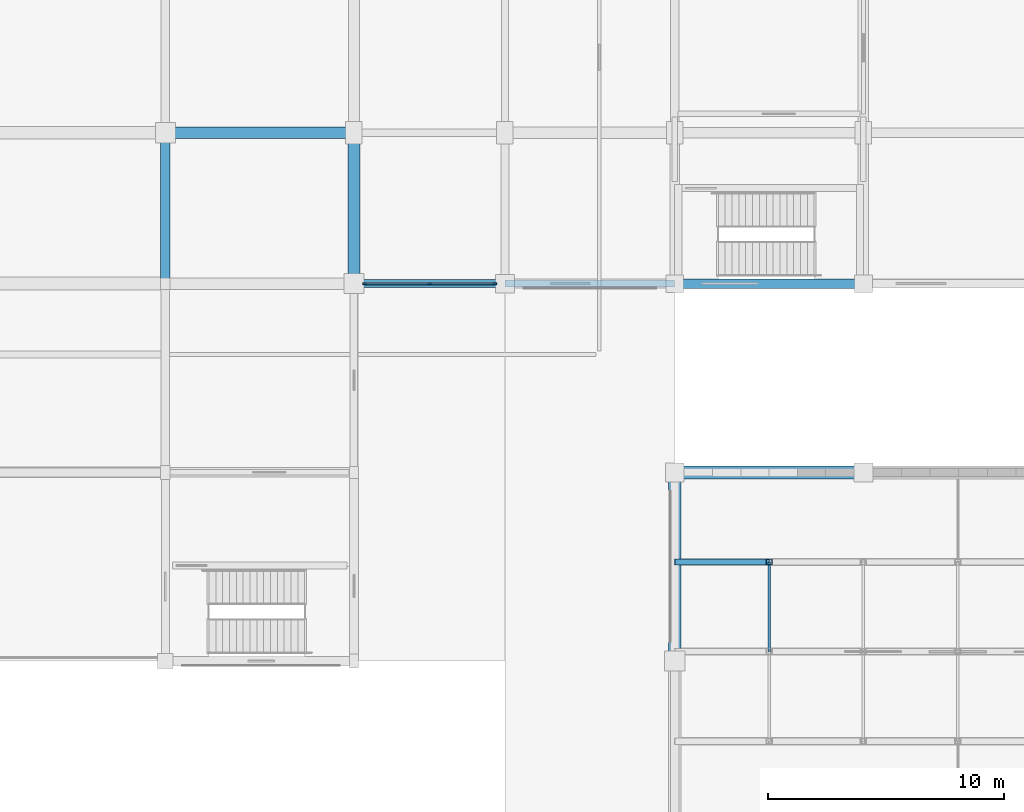
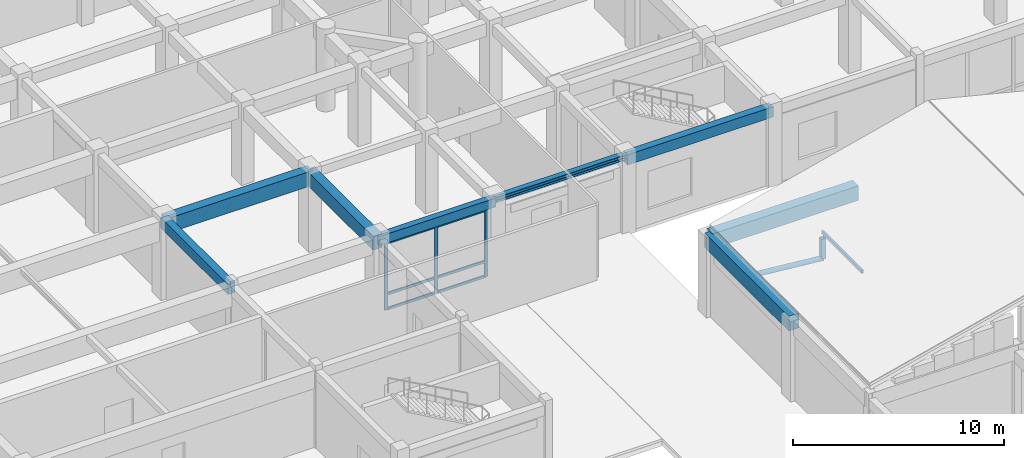
# One storey, part 14 of 61: 12 members, 8 beams, 1 element without a shape of its own.
"""IFC4 building model written with IfcOpenShell, lengths in metres."""

from ifc_helpers import new_model, si_unit, direction, frame, origin, origin_2d, place, context, subcontext, project, spatial, rectangle, hollow_rectangle, hollow_circle, i_section, extrude, material, material_profile, profile_set, type_object, element, aggregate, save


model = new_model("IFC4")

# Units and contexts
model_context = context("Model", 3, precision=1e-05, world=origin(), true_north=direction((0.0, 1.0)))
body_context = subcontext(model_context, "Body", "Model", "MODEL_VIEW")
ifc_project = project(units=[si_unit("LENGTHUNIT", "METRE"), si_unit("AREAUNIT", "SQUARE_METRE"), si_unit("VOLUMEUNIT", "CUBIC_METRE"), si_unit("PLANEANGLEUNIT", "RADIAN"), si_unit("MASSUNIT", "GRAM", prefix="KILO")], contexts=[model_context])

# Site, building, storey
site_placement = place(None, origin())
site = spatial("IfcSite", under=ifc_project, at=site_placement, CompositionType="ELEMENT")
building_placement = place(site_placement, origin())
building = spatial("IfcBuilding", under=site, at=building_placement, Name="Vellmiral Cinema and Media Centre", CompositionType="ELEMENT")
storey_placement = place(building_placement, frame((0.0, 0.0, 10.800048828125)))
storey = spatial("IfcBuildingStorey", under=building, at=storey_placement, Name="L02", CompositionType="ELEMENT", Elevation=10.800048828125)

# Beams
ifc_material_1 = material(Name="Concrete C40/50", Category="concrete")
ifc_material_profile_1 = material_profile(ifc_material_1, rectangle(XDim=0.39990234375, YDim=0.60009765625, at=origin_2d()), Name="RC 400x600")
ifc_profile_set_1 = profile_set([ifc_material_profile_1], Name="Concrete C40/50")
beam_type_1 = type_object("IfcBeamType", Name="BM-RC-400x600", PredefinedType="BEAM", material=ifc_profile_set_1)
beam_1_placement = place(storey_placement, frame((102.39990234375, 59.199951171875, 4.195068359375), z_axis=(0.0, 1.0, 0.0), x_axis=(-1.0, 0.0, 0.0)))
element("IfcBeam", 1, at=beam_1_placement, inside=storey, type_object=beam_type_1, Name="Grid Beam L02-Y133", PredefinedType="BEAM", context=body_context, shape_type="SweptSolid", body=[
    extrude(rectangle(XDim=0.39990234375, YDim=0.60009765625, at=origin_2d()), origin(), (0.0, 0.0, 1.0), 6.400146484375),
])
ifc_material_2 = material(Name="Concrete C40/50", Category="concrete")
ifc_material_profile_2 = material_profile(ifc_material_2, rectangle(XDim=0.5, YDim=0.800048828125, at=origin_2d()), Name="RC 500x800")
ifc_profile_set_2 = profile_set([ifc_material_profile_2], Name="Concrete C40/50")
beam_type_2 = type_object("IfcBeamType", Name="BM-RC-500x800", PredefinedType="BEAM", material=ifc_profile_set_2)
beam_2_placement = place(storey_placement, frame((110.39990234375, 59.199951171875, 4.094970703125), z_axis=(0.0, 1.0, 0.0), x_axis=(-1.0, 0.0, 0.0)))
element("IfcBeam", 2, at=beam_2_placement, inside=storey, type_object=beam_type_2, Name="Grid Beam L02-Y140", PredefinedType="BEAM", context=body_context, shape_type="SweptSolid", body=[
    extrude(rectangle(XDim=0.5, YDim=0.800048828125, at=origin_2d()), origin(), (0.0, 0.0, 1.0), 6.400146484375),
])
ifc_material_3 = material(Name="Concrete C40/50", Category="concrete")
ifc_material_profile_3 = material_profile(ifc_material_3, rectangle(XDim=0.5, YDim=0.85009765625, at=origin_2d()), Name="RC 500x850")
ifc_profile_set_3 = profile_set([ifc_material_profile_3], Name="Concrete C40/50")
beam_type_3 = type_object("IfcBeamType", Name="BM-RC-500x850", PredefinedType="BEAM", material=ifc_profile_set_3)
beam_3_placement = place(storey_placement, frame((102.39990234375, 65.60009765625, 4.070068359375), z_axis=(1.0, 0.0, 0.0), x_axis=(0.0, 1.0, 0.0)))
element("IfcBeam", 3, at=beam_3_placement, inside=storey, type_object=beam_type_3, Name="Grid Beam L02-X026", PredefinedType="BEAM", context=body_context, shape_type="SweptSolid", body=[
    extrude(rectangle(XDim=0.5, YDim=0.85009765625, at=origin_2d()), origin(), (0.0, 0.0, 1.0), 8.0),
])

# Curtain wall, members
ifc_material_4 = material(Name="Thermally Broken Aluminium and Triple Glazing", Category="aluminium")
curtain_wall_type = type_object("IfcCurtainWallType", Name="CW-POD-GALLERY", PredefinedType="USERDEFINED", material=ifc_material_4)
curtain_wall_placement = place(storey_placement, origin())
curtain_wall = element("IfcCurtainWall", 4, at=curtain_wall_placement, inside=storey, type_object=curtain_wall_type, Name="Curtain Wall L02-B019", ObjectType="STICK CURTAIN WALL", PredefinedType="USERDEFINED")
ifc_material_5 = material(Name="Thermally Broken Anodised Aluminium", Category="aluminium")
ifc_material_profile_4 = material_profile(ifc_material_5, rectangle(XDim=0.070068359375, YDim=0.179931640625, at=origin_2d()), Name="MULL 70x180")
ifc_profile_set_4 = profile_set([ifc_material_profile_4], Name="Thermally Broken Anodised Aluminium")
member_type_1 = type_object("IfcMemberType", Name="CWM-70x180", PredefinedType="MULLION", material=ifc_profile_set_4)
member_1_placement = place(storey_placement, frame((110.860107421875, 59.199951171875, 0.0), z_axis=(0.0, 0.0, 1.0), x_axis=(0.0, 1.0, 0.0)))
member_1 = element("IfcMember", 5, at=member_1_placement, type_object=member_type_1, Name="CW-04 mullion 1", PredefinedType="MULLION", context=body_context, shape_type="SweptSolid", body=[
    extrude(rectangle(XDim=0.070068359375, YDim=0.179931640625, at=origin_2d()), origin(), (0.0, 0.0, 1.0), 3.89990234375),
])
member_2_placement = place(storey_placement, frame((113.612548828125, 59.199951171875, 0.0), z_axis=(0.0, 0.0, 1.0), x_axis=(0.0, 1.0, 0.0)))
member_2 = element("IfcMember", 6, at=member_2_placement, type_object=member_type_1, Name="CW-04 mullion 2", PredefinedType="MULLION", context=body_context, shape_type="SweptSolid", body=[
    extrude(rectangle(XDim=0.070068359375, YDim=0.179931640625, at=origin_2d()), origin(), (0.0, 0.0, 1.0), 3.89990234375),
])
member_3_placement = place(storey_placement, frame((116.364990234375, 59.199951171875, 0.0), z_axis=(0.0, 0.0, 1.0), x_axis=(0.0, 1.0, 0.0)))
member_3 = element("IfcMember", 7, at=member_3_placement, type_object=member_type_1, Name="CW-04 mullion 3", PredefinedType="MULLION", context=body_context, shape_type="SweptSolid", body=[
    extrude(rectangle(XDim=0.070068359375, YDim=0.179931640625, at=origin_2d()), origin(), (0.0, 0.0, 1.0), 3.89990234375),
])
ifc_material_6 = material(Name="Thermally Broken Anodised Aluminium", Category="aluminium")
ifc_material_profile_5 = material_profile(ifc_material_6, rectangle(XDim=0.070068359375, YDim=0.14990234375, at=origin_2d()), Name="MULL 70x150")
ifc_profile_set_5 = profile_set([ifc_material_profile_5], Name="Thermally Broken Anodised Aluminium")
member_type_2 = type_object("IfcMemberType", Name="CWT-70x150", PredefinedType="USERDEFINED", material=ifc_profile_set_5)
member_4_placement = place(storey_placement, frame((110.89501953125, 59.199951171875, 0.034912109375), z_axis=(1.0, 0.0, 0.0), x_axis=(0.0, 1.0, 0.0)))
member_4 = element("IfcMember", 8, at=member_4_placement, type_object=member_type_2, Name="CW-04 transom 1.1", ObjectType="TRANSOM", PredefinedType="USERDEFINED", context=body_context, shape_type="SweptSolid", body=[
    extrude(rectangle(XDim=0.070068359375, YDim=0.14990234375, at=origin_2d()), origin(), (0.0, 0.0, 1.0), 2.682373046875),
])
member_5_placement = place(storey_placement, frame((110.89501953125, 59.199951171875, 0.89990234375), z_axis=(1.0, 0.0, 0.0), x_axis=(0.0, 1.0, 0.0)))
member_5 = element("IfcMember", 9, at=member_5_placement, type_object=member_type_2, Name="CW-04 transom 1.2", ObjectType="TRANSOM", PredefinedType="USERDEFINED", context=body_context, shape_type="SweptSolid", body=[
    extrude(rectangle(XDim=0.070068359375, YDim=0.14990234375, at=origin_2d()), origin(), (0.0, 0.0, 1.0), 2.682373046875),
])
member_6_placement = place(storey_placement, frame((110.89501953125, 59.199951171875, 3.864990234375), z_axis=(1.0, 0.0, 0.0), x_axis=(0.0, 1.0, 0.0)))
member_6 = element("IfcMember", 10, at=member_6_placement, type_object=member_type_2, Name="CW-04 transom 1.3", ObjectType="TRANSOM", PredefinedType="USERDEFINED", context=body_context, shape_type="SweptSolid", body=[
    extrude(rectangle(XDim=0.070068359375, YDim=0.14990234375, at=origin_2d()), origin(), (0.0, 0.0, 1.0), 2.682373046875),
])
member_7_placement = place(storey_placement, frame((113.6474609375, 59.199951171875, 0.034912109375), z_axis=(1.0, 0.0, 0.0), x_axis=(0.0, 1.0, 0.0)))
member_7 = element("IfcMember", 11, at=member_7_placement, type_object=member_type_2, Name="CW-04 transom 2.1", ObjectType="TRANSOM", PredefinedType="USERDEFINED", context=body_context, shape_type="SweptSolid", body=[
    extrude(rectangle(XDim=0.070068359375, YDim=0.14990234375, at=origin_2d()), origin(), (0.0, 0.0, 1.0), 2.6826171875),
])
member_8_placement = place(storey_placement, frame((113.6474609375, 59.199951171875, 0.89990234375), z_axis=(1.0, 0.0, 0.0), x_axis=(0.0, 1.0, 0.0)))
member_8 = element("IfcMember", 12, at=member_8_placement, type_object=member_type_2, Name="CW-04 transom 2.2", ObjectType="TRANSOM", PredefinedType="USERDEFINED", context=body_context, shape_type="SweptSolid", body=[
    extrude(rectangle(XDim=0.070068359375, YDim=0.14990234375, at=origin_2d()), origin(), (0.0, 0.0, 1.0), 2.6826171875),
])
member_9_placement = place(storey_placement, frame((113.6474609375, 59.199951171875, 3.864990234375), z_axis=(1.0, 0.0, 0.0), x_axis=(0.0, 1.0, 0.0)))
member_9 = element("IfcMember", 13, at=member_9_placement, type_object=member_type_2, Name="CW-04 transom 2.3", ObjectType="TRANSOM", PredefinedType="USERDEFINED", context=body_context, shape_type="SweptSolid", body=[
    extrude(rectangle(XDim=0.070068359375, YDim=0.14990234375, at=origin_2d()), origin(), (0.0, 0.0, 1.0), 2.6826171875),
])
aggregate(curtain_wall, [member_1, member_2, member_3, member_4, member_5, member_6, member_7, member_8, member_9])

# Member
ifc_material_7 = material(Name="Steel S355", Category="steel")
ifc_material_profile_6 = material_profile(ifc_material_7, hollow_rectangle(XDim=0.10009765625, YDim=0.199951171875, WallThickness=0.008056640625, at=origin_2d()), Name="RHS 200x100x8.0")
ifc_profile_set_6 = profile_set([ifc_material_profile_6], Name="Steel S355")
member_type_3 = type_object("IfcMemberType", Name="PRL-RHS200", PredefinedType="PURLIN", material=ifc_profile_set_6)
member_10_placement = place(storey_placement, frame((128.0, 43.60009765625, 5.662353515625), z_axis=(0.0, 1.0, 0.0), x_axis=(-1.0, 0.0, 0.0)))
element("IfcMember", 14, at=member_10_placement, inside=storey, type_object=member_type_3, Name="Roof Purlin 6.1.2", PredefinedType="PURLIN", context=body_context, shape_type="SweptSolid", body=[
    extrude(hollow_rectangle(XDim=0.10009765625, YDim=0.199951171875, WallThickness=0.008056640625, at=origin_2d()), origin(), (0.0, 0.0, 1.0), 3.7998046875),
])

# Beams
ifc_material_8 = material(Name="Concrete C40/50", Category="concrete")
ifc_material_profile_7 = material_profile(ifc_material_8, rectangle(XDim=0.550048828125, YDim=0.85009765625, at=origin_2d()), Name="RC 550x850")
ifc_profile_set_7 = profile_set([ifc_material_profile_7], Name="Concrete C40/50")
beam_type_4 = type_object("IfcBeamType", Name="RING-BM-550x850", PredefinedType="BEAM", material=ifc_profile_set_7)
for number, where, z_axis, x_axis, name in (
    (15, (124.0, 51.199951171875, 4.375), (1.0, 0.0, 0.0), (0.0, 1.0, 0.0), "Cinema Screen 6 Ring Beam 04"),
    (16, (124.0, 43.199951171875, 4.375), (0.0, 1.0, 0.0), (-1.0, 0.0, 0.0), "Cinema Screen 6 Ring Beam 08"),
):
    element("IfcBeam", number, at=place(storey_placement, frame(where, z_axis=z_axis, x_axis=x_axis)), inside=storey, type_object=beam_type_4, Name=name, PredefinedType="BEAM", context=body_context, shape_type="SweptSolid", body=[
        extrude(rectangle(XDim=0.550048828125, YDim=0.85009765625, at=origin_2d()), origin(), (0.0, 0.0, 1.0), 8.0),
    ])
ifc_material_9 = material(Name="Steel S355", Category="steel")
ifc_material_profile_8 = material_profile(ifc_material_9, i_section(OverallWidth=0.300048828125, OverallDepth=0.300048828125, WebThickness=0.010986328125, FlangeThickness=0.01904296875, FilletRadius=0.027099609375, at=origin_2d()), Name="HEB 300")
ifc_profile_set_8 = profile_set([ifc_material_profile_8], Name="Steel S355")
beam_type_5 = type_object("IfcBeamType", Name="SBM-HEB300", PredefinedType="SPANDREL", material=ifc_profile_set_8)
beam_4_placement = place(storey_placement, frame((116.800048828125, 59.199951171875, 4.344970703125), z_axis=(1.0, 0.0, 0.0), x_axis=(0.0, 1.0, 0.0)))
element("IfcBeam", 17, at=beam_4_placement, inside=storey, type_object=beam_type_5, Name="Grid Beam L02-X017", PredefinedType="SPANDREL", context=body_context, shape_type="SweptSolid", body=[
    extrude(i_section(OverallWidth=0.300048828125, OverallDepth=0.300048828125, WebThickness=0.010986328125, FlangeThickness=0.01904296875, FilletRadius=0.027099609375, at=origin_2d()), origin(), (0.0, 0.0, 1.0), 7.199951171875),
])
ifc_material_10 = material(Name="Concrete C40/50", Category="concrete")
ifc_material_profile_9 = material_profile(ifc_material_10, rectangle(XDim=0.39990234375, YDim=0.60009765625, at=origin_2d()), Name="RC 400x600")
ifc_profile_set_9 = profile_set([ifc_material_profile_9], Name="Concrete C40/50")
beam_type_6 = type_object("IfcBeamType", Name="SPD-RC-400x600", PredefinedType="SPANDREL", material=ifc_profile_set_9)
beam_5_placement = place(storey_placement, frame((124.0, 59.199951171875, 4.195068359375), z_axis=(1.0, 0.0, 0.0), x_axis=(0.0, 1.0, 0.0)))
element("IfcBeam", 18, at=beam_5_placement, inside=storey, type_object=beam_type_6, Name="Grid Beam L02-X018", PredefinedType="SPANDREL", context=body_context, shape_type="SweptSolid", body=[
    extrude(rectangle(XDim=0.39990234375, YDim=0.60009765625, at=origin_2d()), origin(), (0.0, 0.0, 1.0), 8.0),
])
ifc_material_11 = material(Name="Vosges Red Sandstone Masonry", Category="masonry")
ifc_material_profile_10 = material_profile(ifc_material_11, rectangle(XDim=0.340087890625, YDim=0.52001953125, at=origin_2d()), Name="SAND 340x520")
ifc_profile_set_10 = profile_set([ifc_material_profile_10], Name="Vosges Red Sandstone Masonry")
beam_type_7 = type_object("IfcBeamType", Name="SPD-SAND-340x520", PredefinedType="SPANDREL", material=ifc_profile_set_10)
beam_6_placement = place(storey_placement, frame((110.39990234375, 59.199951171875, 4.23486328125), z_axis=(1.0, 0.0, 0.0), x_axis=(0.0, 1.0, 0.0)))
element("IfcBeam", 19, at=beam_6_placement, inside=storey, type_object=beam_type_7, Name="Grid Beam L02-X016", PredefinedType="SPANDREL", context=body_context, shape_type="SweptSolid", body=[
    extrude(rectangle(XDim=0.340087890625, YDim=0.52001953125, at=origin_2d()), origin(), (0.0, 0.0, 1.0), 6.400146484375),
])

# Members
ifc_material_12 = material(Name="Steel S355", Category="steel")
ifc_material_profile_11 = material_profile(ifc_material_12, hollow_circle(Radius=0.136474609375, WallThickness=0.012451171875, at=origin_2d()), Name="CHS 273.0x12.5")
ifc_profile_set_11 = profile_set([ifc_material_profile_11], Name="Steel S355")
member_type_4 = type_object("IfcMemberType", Name="TBR-CHS273", PredefinedType="BRACE", material=ifc_profile_set_11)
member_11_placement = place(storey_placement, frame((124.0, 47.39990234375, 4.52490234375), z_axis=(0.995634226059, 0.0, -0.093340708693), x_axis=(0.0, 1.0, 0.0)))
element("IfcMember", 20, at=member_11_placement, inside=storey, type_object=member_type_4, Name="Roof Truss TR-06.3 Diagonal 1", PredefinedType="BRACE", context=body_context, shape_type="SweptSolid", body=[
    extrude(hollow_circle(Radius=0.136474609375, WallThickness=0.012451171875, at=origin_2d()), origin(), (0.0, 0.0, 1.0), 4.017578125),
])
ifc_material_13 = material(Name="Steel S355", Category="steel")
ifc_material_profile_12 = material_profile(ifc_material_13, hollow_rectangle(XDim=0.25, YDim=0.25, WallThickness=0.012451171875, at=origin_2d()), Name="SHS 250x250x12.5")
ifc_profile_set_12 = profile_set([ifc_material_profile_12], Name="Steel S355")
member_type_5 = type_object("IfcMemberType", Name="TBR-SHS250", PredefinedType="BRACE", material=ifc_profile_set_12)
member_12_placement = place(storey_placement, frame((128.0, 47.39990234375, 4.14990234375), z_axis=(0.0, 0.0, 1.0), x_axis=(1.0, 0.0, 0.0)))
element("IfcMember", 21, at=member_12_placement, inside=storey, type_object=member_type_5, Name="Roof Truss TR-06.3 Post 1", PredefinedType="BRACE", context=body_context, shape_type="SweptSolid", body=[
    extrude(hollow_rectangle(XDim=0.25, YDim=0.25, WallThickness=0.012451171875, at=origin_2d()), origin(), (0.0, 0.0, 1.0), 1.17724609375),
])

save(model, "model.ifc")
